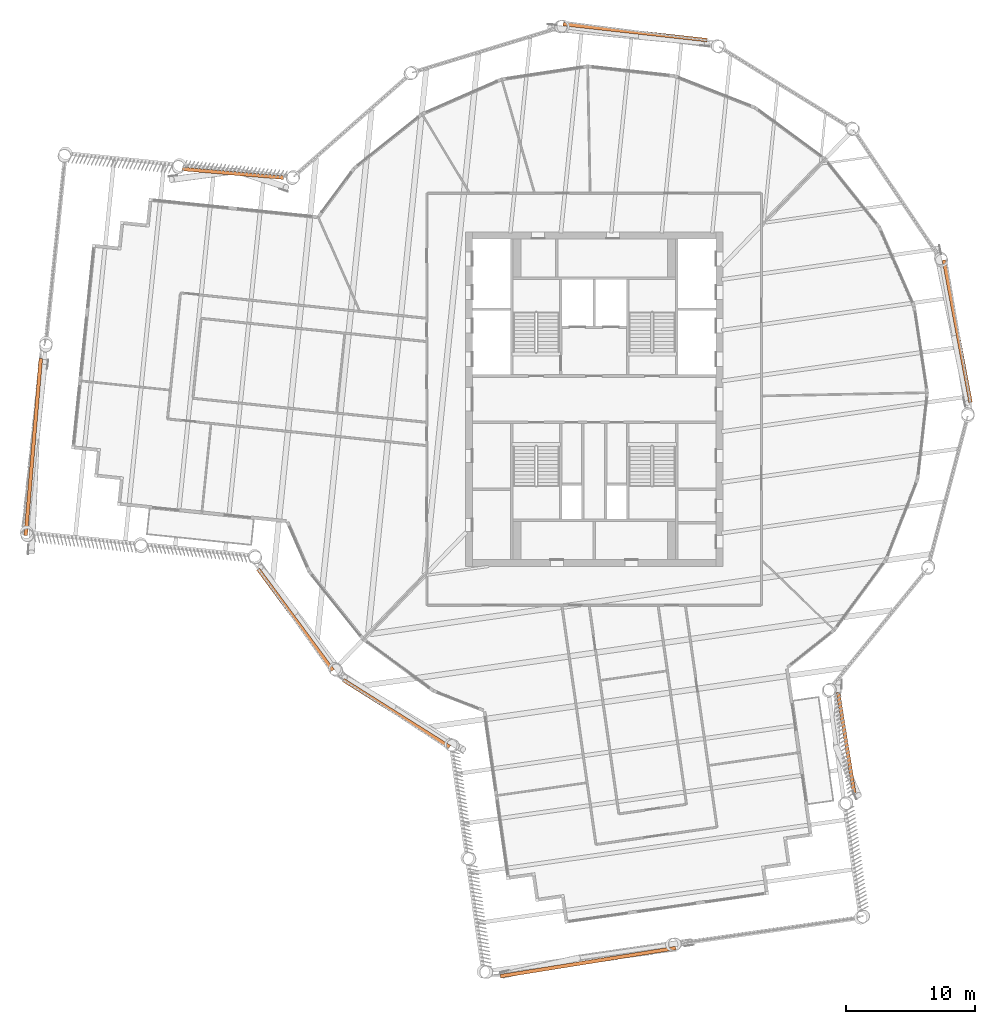
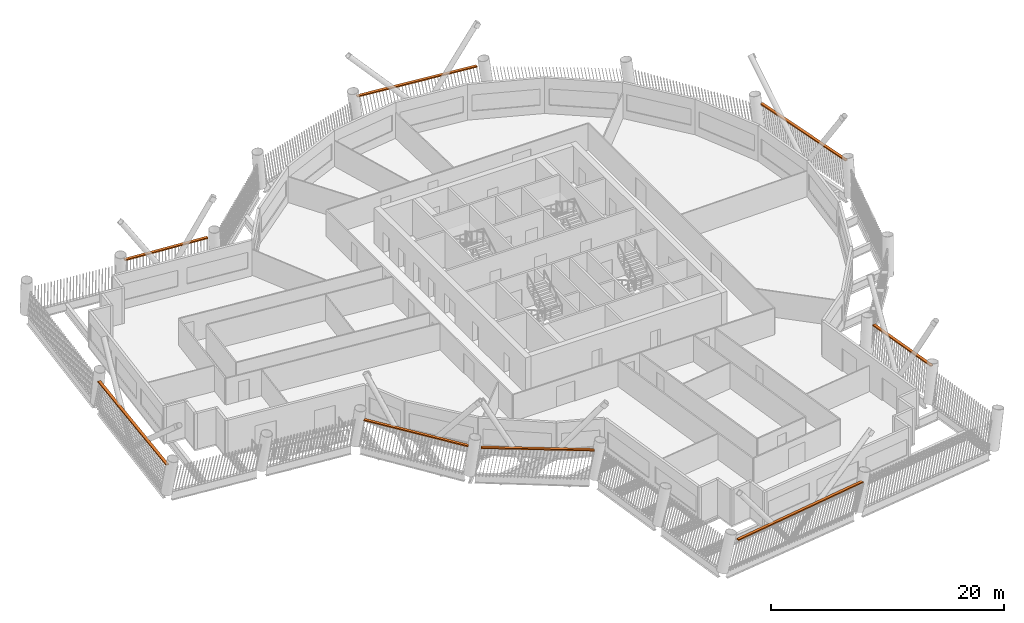
# One storey, part 22 of 22: 8 proxies.
"""IFC4 building model written with IfcOpenShell, lengths in metres."""

from ifc_helpers import new_model, si_unit, direction, frame, origin, origin_2d, place, context, subcontext, project, spatial, rectangle, extrude, material, type_object, element, save


model = new_model("IFC4")

# Units and contexts
model_context = context("Model", 3, precision=1e-05, world=origin(), true_north=direction((0.0, 1.0)))
body_context = subcontext(model_context, "Body", "Model", "MODEL_VIEW")
ifc_project = project(units=[si_unit("LENGTHUNIT", "METRE"), si_unit("AREAUNIT", "SQUARE_METRE"), si_unit("VOLUMEUNIT", "CUBIC_METRE"), si_unit("PLANEANGLEUNIT", "RADIAN"), si_unit("MASSUNIT", "GRAM", prefix="KILO")], contexts=[model_context])

# Site, building, storey
site_placement = place(None, origin())
site = spatial("IfcSite", under=ifc_project, at=site_placement, CompositionType="ELEMENT")
building_placement = place(site_placement, origin())
building = spatial("IfcBuilding", under=site, at=building_placement, Name="Tarsis Ring Headquarters", CompositionType="ELEMENT")
storey_placement = place(building_placement, frame((0.0, 0.0, 263.0)))
storey = spatial("IfcBuildingStorey", under=building, at=storey_placement, Name="L61", CompositionType="ELEMENT", Elevation=263.0)

# Proxies
ifc_material = material(Name="Structural steel S355", Category="steel")
building_element_proxy_type = type_object("IfcBuildingElementProxyType", Name="Screen bracket plate", PredefinedType="USERDEFINED", material=ifc_material)
proxy_1_placement = place(storey_placement, frame((-15.365966796875, -24.405517578125, 2.9677734375), z_axis=(0.0, 0.0, 1.0), x_axis=(0.846239507047, -0.532802680842, 0.0)))
element("IfcBuildingElementProxy", 1, at=proxy_1_placement, inside=storey, type_object=building_element_proxy_type, Name="Screen bracket L61-00", ObjectType="Bracket", PredefinedType="USERDEFINED", context=body_context, shape_type="SweptSolid", body=[
    extrude(rectangle(XDim=9.771728515625, YDim=0.280029296875, at=origin_2d()), origin(), (0.0, 0.0, 1.0), 0.1201171875),
])
proxy_2_placement = place(storey_placement, frame((-0.475830078125, -43.72314453125, 2.9677734375), z_axis=(0.0, 0.0, 1.0), x_axis=(0.987358544548, 0.158502695587, 0.0)))
element("IfcBuildingElementProxy", 2, at=proxy_2_placement, inside=storey, type_object=building_element_proxy_type, Name="Screen bracket L61-03", ObjectType="Bracket", PredefinedType="USERDEFINED", context=body_context, shape_type="SweptSolid", body=[
    extrude(rectangle(XDim=13.800048828125, YDim=0.280029296875, at=origin_2d()), origin(), (0.0, 0.0, 1.0), 0.1201171875),
])
proxy_3_placement = place(storey_placement, frame((19.571533203125, -26.681884765625, 2.9677734375), z_axis=(0.0, 0.0, 1.0), x_axis=(-0.158502730052, 0.987358539015, 0.0)))
element("IfcBuildingElementProxy", 3, at=proxy_3_placement, inside=storey, type_object=building_element_proxy_type, Name="Screen bracket L61-06", ObjectType="Bracket", PredefinedType="USERDEFINED", context=body_context, shape_type="SweptSolid", body=[
    extrude(rectangle(XDim=7.90234375, YDim=0.280029296875, at=origin_2d()), origin(), (0.0, 0.0, 1.0), 0.1201171875),
])
for number, where, z_axis, x_axis, name in (
    (4, (28.200439453125, 5.28076171875, 2.9677734375), (0.0, 0.0, 1.0), (-0.184058691217, 0.982915254835, 0.0), "Screen bracket L61-09"),
    (5, (3.181396484375, 28.513671875, 2.9677734375), (0.0, 0.0, 1.0), (-0.993833389952, 0.110883691389, 0.0), "Screen bracket L61-12"),
):
    element("IfcBuildingElementProxy", number, at=place(storey_placement, frame(where, z_axis=z_axis, x_axis=x_axis)), inside=storey, type_object=building_element_proxy_type, Name=name, ObjectType="Bracket", PredefinedType="USERDEFINED", context=body_context, shape_type="SweptSolid", body=[
        extrude(rectangle(XDim=11.248779296875, YDim=0.280029296875, at=origin_2d()), origin(), (0.0, 0.0, 1.0), 0.1201171875),
    ])
proxy_4_placement = place(storey_placement, frame((-28.0556640625, 17.545166015625, 2.9677734375), z_axis=(0.0, 0.0, 1.0), x_axis=(-0.996375067952, 0.085068936532, 0.0)))
element("IfcBuildingElementProxy", 6, at=proxy_4_placement, inside=storey, type_object=building_element_proxy_type, Name="Screen bracket L61-15", ObjectType="Bracket", PredefinedType="USERDEFINED", context=body_context, shape_type="SweptSolid", body=[
    extrude(rectangle(XDim=7.90234375, YDim=0.280029296875, at=origin_2d()), origin(), (0.0, 0.0, 1.0), 0.1201171875),
])
proxy_5_placement = place(storey_placement, frame((-43.568359375, -3.70703125, 2.9677734375), z_axis=(0.0, 0.0, 1.0), x_axis=(-0.085069127822, -0.99637505162, 0.0)))
element("IfcBuildingElementProxy", 7, at=proxy_5_placement, inside=storey, type_object=building_element_proxy_type, Name="Screen bracket L61-18", ObjectType="Bracket", PredefinedType="USERDEFINED", context=body_context, shape_type="SweptSolid", body=[
    extrude(rectangle(XDim=13.800048828125, YDim=0.280029296875, at=origin_2d()), origin(), (0.0, 0.0, 1.0), 0.1201171875),
])
proxy_6_placement = place(storey_placement, frame((-23.20263671875, -17.128173828125, 2.9677734375), z_axis=(0.0, 0.0, 1.0), x_axis=(0.593910696205, -0.804530972017, 0.0)))
element("IfcBuildingElementProxy", 8, at=proxy_6_placement, inside=storey, type_object=building_element_proxy_type, Name="Screen bracket L61-21", ObjectType="Bracket", PredefinedType="USERDEFINED", context=body_context, shape_type="SweptSolid", body=[
    extrude(rectangle(XDim=9.771728515625, YDim=0.280029296875, at=origin_2d()), origin(), (0.0, 0.0, 1.0), 0.1201171875),
])

save(model, "model.ifc")
